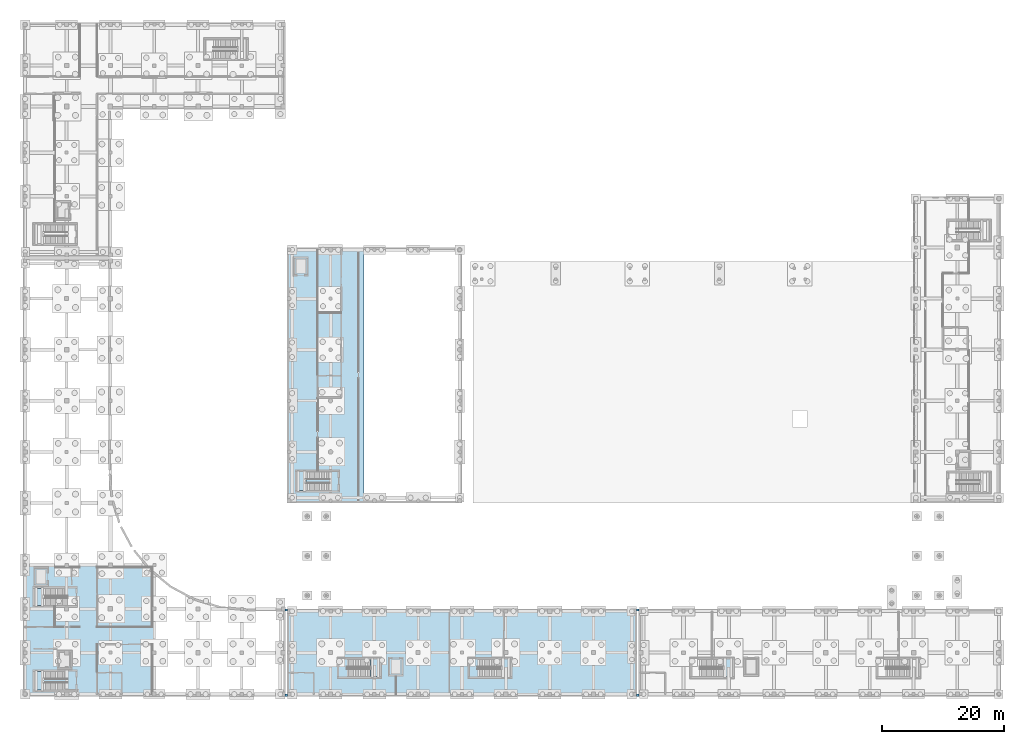
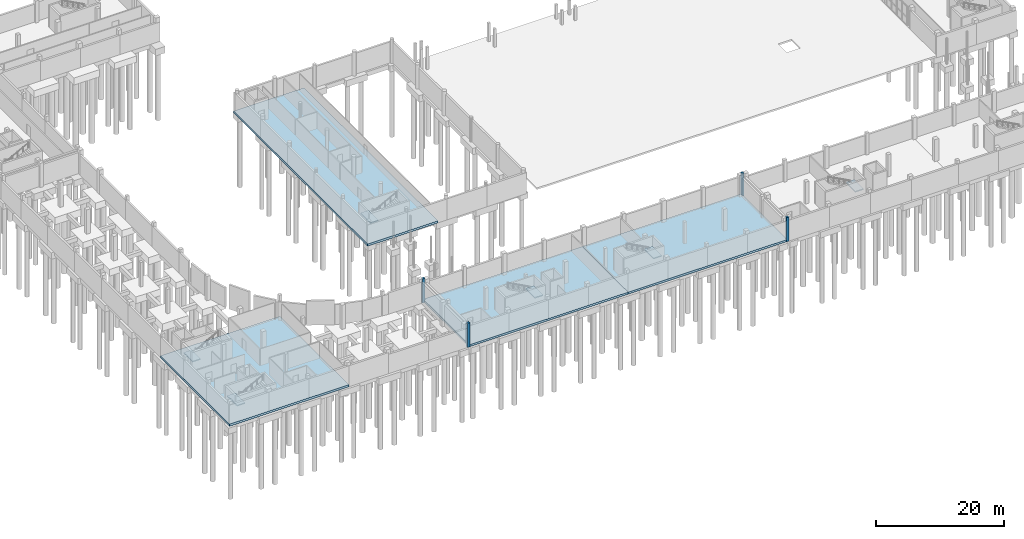
# One storey, part 20 of 41: 10 slabs, 4 plates, 6 elements without a shape of their own.
"""IFC4 building model written with IfcOpenShell, lengths in metres."""

from ifc_helpers import new_model, si_unit, direction, frame, origin, origin_2d, place, context, subcontext, project, spatial, polyline, rectangle, outline, extrude, material, layer, layer_set, type_object, element, aggregate, save


model = new_model("IFC4")

# Units and contexts
model_context = context("Model", 3, precision=1e-05, world=origin(), true_north=direction((0.0, 1.0)))
body_context = subcontext(model_context, "Body", "Model", "MODEL_VIEW")
ifc_project = project(units=[si_unit("LENGTHUNIT", "METRE"), si_unit("AREAUNIT", "SQUARE_METRE"), si_unit("VOLUMEUNIT", "CUBIC_METRE"), si_unit("PLANEANGLEUNIT", "RADIAN"), si_unit("MASSUNIT", "GRAM", prefix="KILO")], contexts=[model_context])

# Site, building, storey
site_placement = place(None, origin())
site = spatial("IfcSite", under=ifc_project, at=site_placement, CompositionType="ELEMENT")
building_placement = place(site_placement, origin())
building = spatial("IfcBuilding", under=site, at=building_placement, Name="Vardoun Plaza Health Centre", CompositionType="ELEMENT")
storey_placement = place(building_placement, frame((0.0, 0.0, -4.5)))
storey = spatial("IfcBuildingStorey", under=building, at=storey_placement, Name="B1", CompositionType="ELEMENT", Elevation=-4.5)

# Stair, slab
ifc_material_1 = material(Name="Concrete C35/45", Category="concrete")
stair_type = type_object("IfcStairType", Name="ST-01", PredefinedType="HALF_TURN_STAIR", material=ifc_material_1)
stair_1_placement = place(storey_placement, origin())
stair_1 = element("IfcStair", 1, at=stair_1_placement, inside=storey, type_object=stair_type, Name="Core C1 B1 Exit Stair ST-C1-B1", PredefinedType="HALF_TURN_STAIR")
ifc_material_2 = material(Name="Concrete C35/45", Category="concrete")
ifc_layer_1 = layer(ifc_material_2, 0.199951171875)
ifc_layer_set_1 = layer_set([ifc_layer_1], Name="Concrete C35/45")
slab_type_1 = type_object("IfcSlabType", Name="SL-LD", PredefinedType="LANDING", material=ifc_layer_set_1)
slab_1_placement = place(storey_placement, frame((0.0, 0.0, 2.050048828125)))
slab_1 = element("IfcSlab", 2, at=slab_1_placement, type_object=slab_type_1, Name="ST-C1-B1 landing 1", PredefinedType="LANDING", context=body_context, shape_type="SweptSolid", body=[
    extrude(outline(polyline([(6.47509765625, 5.574951171875), (7.9306640625, 5.574951171875), (7.9306640625, 8.625), (6.47509765625, 8.625), (6.47509765625, 5.574951171875)])), origin(), (0.0, 0.0, 1.0), 0.199951171875),
])
aggregate(stair_1, [slab_1])

stair_2_placement = place(storey_placement, origin())
stair_2 = element("IfcStair", 3, at=stair_2_placement, inside=storey, type_object=stair_type, Name="Core C2 B1 Exit Stair ST-C2-B1", PredefinedType="HALF_TURN_STAIR")
slab_2_placement = place(storey_placement, frame((0.0, 0.0, 2.050048828125)))
slab_2 = element("IfcSlab", 4, at=slab_2_placement, type_object=slab_type_1, Name="ST-C2-B1 landing 1", PredefinedType="LANDING", context=body_context, shape_type="SweptSolid", body=[
    extrude(outline(polyline([(6.47509765625, 19.47509765625), (7.9306640625, 19.47509765625), (7.9306640625, 22.27490234375), (6.47509765625, 22.27490234375), (6.47509765625, 19.47509765625)])), origin(), (0.0, 0.0, 1.0), 0.199951171875),
])
aggregate(stair_2, [slab_2])

stair_3_placement = place(storey_placement, origin())
stair_3 = element("IfcStair", 5, at=stair_3_placement, inside=storey, type_object=stair_type, Name="Core C5 B1 Exit Stair ST-C5-B1", PredefinedType="HALF_TURN_STAIR")
slab_3_placement = place(storey_placement, frame((0.0, 0.0, 2.050048828125)))
slab_3 = element("IfcSlab", 6, at=slab_3_placement, type_object=slab_type_1, Name="ST-C5-B1 landing 1", PredefinedType="LANDING", context=body_context, shape_type="SweptSolid", body=[
    extrude(outline(polyline([(49.550048828125, 38.35009765625), (51.030517578125, 38.35009765625), (51.030517578125, 41.449951171875), (49.550048828125, 41.449951171875), (49.550048828125, 38.35009765625)])), origin(), (0.0, 0.0, 1.0), 0.199951171875),
])
aggregate(stair_3, [slab_3])

stair_4_placement = place(storey_placement, origin())
stair_4 = element("IfcStair", 7, at=stair_4_placement, inside=storey, type_object=stair_type, Name="Core C6 B1 Exit Stair ST-C6-B1", PredefinedType="HALF_TURN_STAIR")
slab_4_placement = place(storey_placement, frame((0.0, 0.0, 2.050048828125)))
slab_4 = element("IfcSlab", 8, at=slab_4_placement, type_object=slab_type_1, Name="ST-C6-B1 landing 1", PredefinedType="LANDING", context=body_context, shape_type="SweptSolid", body=[
    extrude(outline(polyline([(61.66943359375, 7.75), (63.14990234375, 7.75), (63.14990234375, 10.64990234375), (61.66943359375, 10.64990234375), (61.66943359375, 7.75)])), origin(), (0.0, 0.0, 1.0), 0.199951171875),
])
aggregate(stair_4, [slab_4])

stair_5_placement = place(storey_placement, origin())
stair_5 = element("IfcStair", 9, at=stair_5_placement, inside=storey, type_object=stair_type, Name="Core C7 B1 Exit Stair ST-C7-B1", PredefinedType="HALF_TURN_STAIR")
slab_5_placement = place(storey_placement, frame((0.0, 0.0, 2.050048828125)))
slab_5 = element("IfcSlab", 10, at=slab_5_placement, type_object=slab_type_1, Name="ST-C7-B1 landing 1", PredefinedType="LANDING", context=body_context, shape_type="SweptSolid", body=[
    extrude(outline(polyline([(83.16943359375, 7.75), (84.64990234375, 7.75), (84.64990234375, 10.64990234375), (83.16943359375, 10.64990234375), (83.16943359375, 7.75)])), origin(), (0.0, 0.0, 1.0), 0.199951171875),
])
aggregate(stair_5, [slab_5])

stair_6_placement = place(storey_placement, origin())
stair_6 = element("IfcStair", 11, at=stair_6_placement, inside=storey, type_object=stair_type, Name="Core C8 B1 Exit Stair ST-C8-B1", PredefinedType="HALF_TURN_STAIR")
slab_6_placement = place(storey_placement, frame((0.0, 0.0, 2.050048828125)))
slab_6 = element("IfcSlab", 12, at=slab_6_placement, type_object=slab_type_1, Name="ST-C8-B1 landing 1", PredefinedType="LANDING", context=body_context, shape_type="SweptSolid", body=[
    extrude(outline(polyline([(119.66943359375, 7.75), (121.14990234375, 7.75), (121.14990234375, 10.64990234375), (119.66943359375, 10.64990234375), (119.66943359375, 7.75)])), origin(), (0.0, 0.0, 1.0), 0.199951171875),
])
aggregate(stair_6, [slab_6])

# Plates
ifc_material_3 = material(Name="Aluminium Alloy EN AW-6063-T6", Category="aluminium")
ifc_layer_2 = layer(ifc_material_3, 0.050048828125)
ifc_layer_set_2 = layer_set([ifc_layer_2], Name="Aluminium Alloy EN AW-6063-T6")
plate_type = type_object("IfcPlateType", Name="SJ-01", PredefinedType="SHEET", material=ifc_layer_set_2)
for number, where, z_axis, x_axis, name in (
    (13, (47.7900390625, 4.679931640625, -0.419921875), (0.0, 0.0, 1.0), (1.0, 0.0, 0.0), "Seismic Joint Facade Cover SJ-V4B1-S"),
    (14, (47.7900390625, 18.719970703125, -0.419921875), (0.0, 0.0, 1.0), (1.0, 0.0, 0.0), "Seismic Joint Facade Cover SJ-V4B1-N"),
):
    element("IfcPlate", number, at=place(storey_placement, frame(where, z_axis=z_axis, x_axis=x_axis)), inside=storey, type_object=plate_type, Name=name, PredefinedType="SHEET", context=body_context, shape_type="SweptSolid", body=[
        extrude(rectangle(XDim=0.43994140625, YDim=0.3798828125, at=origin_2d()), origin(), (0.0, 0.0, 1.0), 4.610107421875),
    ])
for number, where, z_axis, x_axis, name in (
    (15, (105.570068359375, 4.679931640625, -0.420166015625), (0.0, 0.0, 1.0), (1.0, 0.0, 0.0), "Seismic Joint Facade Cover SJ-V45-S-B1"),
    (16, (105.570068359375, 18.719970703125, -0.420166015625), (0.0, 0.0, 1.0), (1.0, 0.0, 0.0), "Seismic Joint Facade Cover SJ-V45-N-B1"),
):
    element("IfcPlate", number, at=place(storey_placement, frame(where, z_axis=z_axis, x_axis=x_axis)), inside=storey, type_object=plate_type, Name=name, PredefinedType="SHEET", context=body_context, shape_type="SweptSolid", body=[
        extrude(rectangle(XDim=0.419921875, YDim=0.3798828125, at=origin_2d()), origin(), (0.0, 0.0, 1.0), 4.6201171875),
    ])

# Slabs
ifc_material_4 = material(Name="Concrete C35/45", Category="concrete")
ifc_layer_3 = layer(ifc_material_4, 0.39990234375)
ifc_layer_set_3 = layer_set([ifc_layer_3], Name="Concrete C35/45")
slab_type_2 = type_object("IfcSlabType", Name="SL-B2", PredefinedType="BASESLAB", material=ifc_layer_set_3)
slab_7_placement = place(storey_placement, frame((0.0, 0.0, -0.39990234375)))
element("IfcSlab", 17, at=slab_7_placement, inside=storey, type_object=slab_type_2, Name="V4 B1 Structural Slab A", PredefinedType="BASESLAB", context=body_context, shape_type="SweptSolid", body=[
    extrude(outline(polyline([(47.8798828125, 4.5), (76.679931640625, 4.5), (76.679931640625, 18.89990234375), (47.8798828125, 18.89990234375), (47.8798828125, 4.5)])), origin(), (0.0, 0.0, 1.0), 0.39990234375),
])
slab_8_placement = place(storey_placement, frame((0.0, 0.0, -0.39990234375)))
element("IfcSlab", 18, at=slab_8_placement, inside=storey, type_object=slab_type_2, Name="V4 B1 Structural Slab B", PredefinedType="BASESLAB", context=body_context, shape_type="SweptSolid", body=[
    extrude(outline(polyline([(76.679931640625, 4.5), (105.47998046875, 4.5), (105.47998046875, 18.89990234375), (76.679931640625, 18.89990234375), (76.679931640625, 4.5)])), origin(), (0.0, 0.0, 1.0), 0.39990234375),
])
ifc_material_5 = material(Name="Concrete C35/45", Category="concrete")
ifc_layer_4 = layer(ifc_material_5, 0.419921875)
ifc_layer_set_4 = layer_set([ifc_layer_4], Name="Concrete C35/45")
slab_type_3 = type_object("IfcSlabType", Name="SL-B1", PredefinedType="BASESLAB", material=ifc_layer_set_4)
slab_9_placement = place(storey_placement, frame((0.0, 0.0, -0.419921875)))
element("IfcSlab", 19, at=slab_9_placement, inside=storey, type_object=slab_type_3, Name="V1 B1 Structural Slab", PredefinedType="BASESLAB", context=body_context, shape_type="SweptSolid", body=[
    extrude(outline(polyline([(47.8798828125, 36.300048828125), (60.60009765625, 36.300048828125), (60.60009765625, 78.300048828125), (47.8798828125, 78.300048828125), (47.8798828125, 36.300048828125)])), origin(), (0.0, 0.0, 1.0), 0.419921875),
])
slab_10_placement = place(storey_placement, frame((0.0, 0.0, -0.419921875)))
element("IfcSlab", 20, at=slab_10_placement, inside=storey, type_object=slab_type_3, Name="V2 B1 Structural Slab", PredefinedType="BASESLAB", context=body_context, shape_type="SweptSolid", body=[
    extrude(outline(polyline([(4.5, 4.5), (26.10009765625, 4.5), (26.10009765625, 26.10009765625), (4.5, 26.10009765625), (4.5, 4.5)])), origin(), (0.0, 0.0, 1.0), 0.419921875),
])

save(model, "model.ifc")
